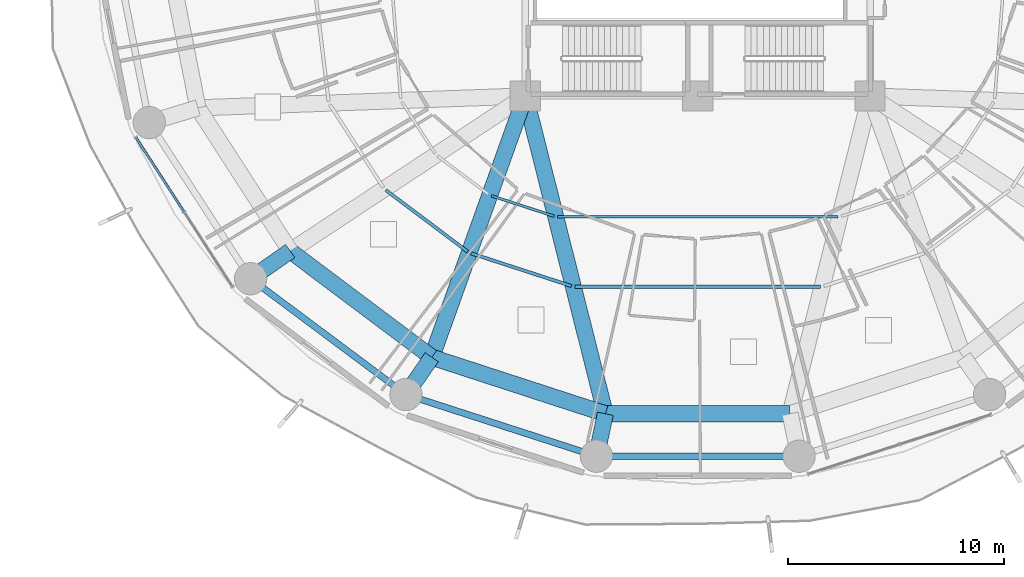
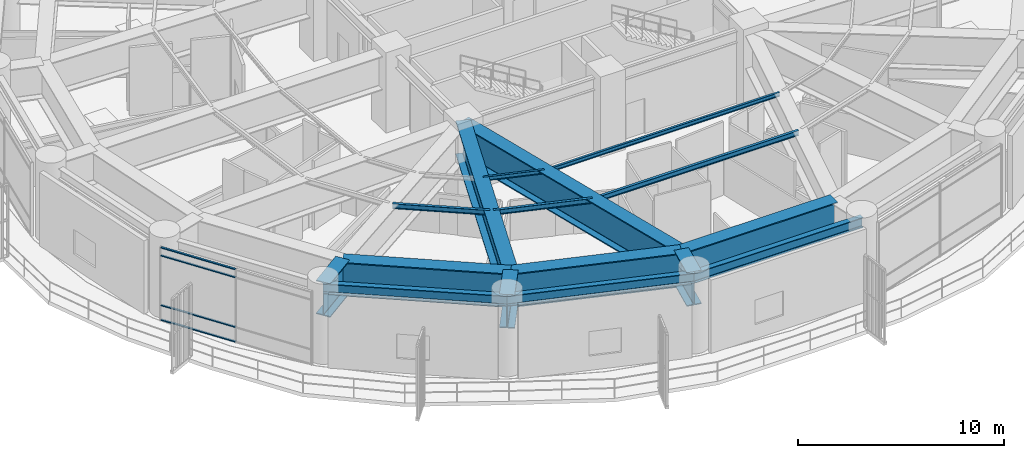
# One storey, part 3 of 31: 16 beams, 4 members, 1 element without a shape of its own.
"""IFC4 building model written with IfcOpenShell, lengths in metres."""

from ifc_helpers import new_model, si_unit, direction, frame, origin, origin_2d, place, context, subcontext, project, spatial, hollow_rectangle, i_section, extrude, material, layer, layer_set, material_profile, profile_set, type_object, element, aggregate, save


model = new_model("IFC4")

# Units and contexts
model_context = context("Model", 3, precision=1e-05, world=origin(), true_north=direction((0.0, 1.0)))
body_context = subcontext(model_context, "Body", "Model", "MODEL_VIEW")
ifc_project = project(units=[si_unit("LENGTHUNIT", "METRE"), si_unit("AREAUNIT", "SQUARE_METRE"), si_unit("VOLUMEUNIT", "CUBIC_METRE"), si_unit("PLANEANGLEUNIT", "RADIAN"), si_unit("MASSUNIT", "GRAM", prefix="KILO")], contexts=[model_context])

# Site, building, storey
site_placement = place(None, origin())
site = spatial("IfcSite", under=ifc_project, at=site_placement, CompositionType="ELEMENT")
building_placement = place(site_placement, origin())
building = spatial("IfcBuilding", under=site, at=building_placement, Name="Kelanora Arch Commons", CompositionType="ELEMENT")
storey_placement = place(building_placement, frame((0.0, 0.0, 67.5)))
storey = spatial("IfcBuildingStorey", under=building, at=storey_placement, Name="L17", CompositionType="ELEMENT", Elevation=67.5)

# Beams
ifc_material_1 = material(Name="Steel S355", Category="steel")
ifc_material_profile_1 = material_profile(ifc_material_1, i_section(OverallWidth=0.14990234375, OverallDepth=0.300048828125, WebThickness=0.007080078125, FlangeThickness=0.0107421875, FilletRadius=0.014892578125, at=origin_2d()), Name="IPE300")
ifc_profile_set_1 = profile_set([ifc_material_profile_1], Name="Steel S355")
beam_type_1 = type_object("IfcBeamType", Name="BM-JST-01", PredefinedType="JOIST", material=ifc_profile_set_1)
beam_1_placement = place(storey_placement, frame((59.5244140625, 46.63330078125, 4.2099609375), z_axis=(0.79971039107, -0.600385951214, 0.0), x_axis=(0.600385951214, 0.79971039107, 0.0)))
element("IfcBeam", 1, at=beam_1_placement, inside=storey, type_object=beam_type_1, Name="Secondary Chord Joist BJB-22 L17", PredefinedType="JOIST", context=body_context, shape_type="SweptSolid", body=[
    extrude(i_section(OverallWidth=0.14990234375, OverallDepth=0.300048828125, WebThickness=0.007080078125, FlangeThickness=0.0107421875, FilletRadius=0.014892578125, at=origin_2d()), origin(), (0.0, 0.0, 1.0), 4.756103515625),
])
beam_2_placement = place(storey_placement, frame((63.476806640625, 43.70068359375, 4.2099609375), z_axis=(0.950857140254, -0.309629938521, 0.0), x_axis=(0.309629938521, 0.950857140254, 0.0)))
element("IfcBeam", 2, at=beam_2_placement, inside=storey, type_object=beam_type_1, Name="Secondary Chord Joist BJB-24 L17", PredefinedType="JOIST", context=body_context, shape_type="SweptSolid", body=[
    extrude(i_section(OverallWidth=0.14990234375, OverallDepth=0.300048828125, WebThickness=0.007080078125, FlangeThickness=0.0107421875, FilletRadius=0.014892578125, at=origin_2d()), origin(), (0.0, 0.0, 1.0), 4.912353515625),
])
beam_3_placement = place(storey_placement, frame((68.313720703125, 42.1533203125, 4.2099609375), z_axis=(1.0, 0.0, 0.0), x_axis=(0.0, 1.0, 0.0)))
element("IfcBeam", 3, at=beam_3_placement, inside=storey, type_object=beam_type_1, Name="Secondary Chord Joist BJB-26 L17", PredefinedType="JOIST", context=body_context, shape_type="SweptSolid", body=[
    extrude(i_section(OverallWidth=0.14990234375, OverallDepth=0.300048828125, WebThickness=0.007080078125, FlangeThickness=0.0107421875, FilletRadius=0.014892578125, at=origin_2d()), origin(), (0.0, 0.0, 1.0), 11.37255859375),
])
ifc_material_profile_2 = material_profile(ifc_material_1, i_section(OverallWidth=0.1201171875, OverallDepth=0.239990234375, WebThickness=0.006103515625, FlangeThickness=0.009765625, FilletRadius=0.014892578125, at=origin_2d()), Name="IPE240")
ifc_profile_set_2 = profile_set([ifc_material_profile_2], Name="Steel S355")
beam_type_2 = type_object("IfcBeamType", Name="BM-JST-02", PredefinedType="JOIST", material=ifc_profile_set_2)
beam_4_placement = place(storey_placement, frame((64.431640625, 46.367431640625, 4.239990234375), z_axis=(0.950846758946, -0.309661817151, 0.0), x_axis=(0.309661817151, 0.950846758946, 0.0)))
element("IfcBeam", 4, at=beam_4_placement, inside=storey, type_object=beam_type_2, Name="Secondary Chord Joist BJA-24 L17", PredefinedType="JOIST", context=body_context, shape_type="SweptSolid", body=[
    extrude(i_section(OverallWidth=0.1201171875, OverallDepth=0.239990234375, WebThickness=0.006103515625, FlangeThickness=0.009765625, FilletRadius=0.014892578125, at=origin_2d()), origin(), (0.0, 0.0, 1.0), 3.048828125),
])
beam_5_placement = place(storey_placement, frame((67.49658203125, 45.397216796875, 4.239990234375), z_axis=(1.0, 0.0, 0.0), x_axis=(0.0, 1.0, 0.0)))
element("IfcBeam", 5, at=beam_5_placement, inside=storey, type_object=beam_type_2, Name="Secondary Chord Joist BJA-26 L17", PredefinedType="JOIST", context=body_context, shape_type="SweptSolid", body=[
    extrude(i_section(OverallWidth=0.1201171875, OverallDepth=0.239990234375, WebThickness=0.006103515625, FlangeThickness=0.009765625, FilletRadius=0.014892578125, at=origin_2d()), origin(), (0.0, 0.0, 1.0), 13.0068359375),
])
ifc_material_profile_3 = material_profile(ifc_material_1, i_section(OverallWidth=0.300048828125, OverallDepth=0.60009765625, WebThickness=0.015380859375, FlangeThickness=0.030029296875, FilletRadius=0.027099609375, at=origin_2d()), Name="HEB600")
ifc_profile_set_3 = profile_set([ifc_material_profile_3], Name="Steel S355")
beam_type_3 = type_object("IfcBeamType", Name="BM-SPN-Z1", PredefinedType="SPANDREL", material=ifc_profile_set_3)
beam_6_placement = place(storey_placement, frame((53.255615234375, 42.521728515625, 4.06005859375), z_axis=(0.801467504127, -0.598038326388, 0.0), x_axis=(0.598038326388, 0.801467504127, 0.0)))
element("IfcBeam", 6, at=beam_6_placement, inside=storey, type_object=beam_type_3, Name="Perimeter Spandrel Beam BS-22 L17", PredefinedType="SPANDREL", context=body_context, shape_type="SweptSolid", body=[
    extrude(i_section(OverallWidth=0.300048828125, OverallDepth=0.60009765625, WebThickness=0.015380859375, FlangeThickness=0.030029296875, FilletRadius=0.027099609375, at=origin_2d()), origin(), (0.0, 0.0, 1.0), 8.989013671875),
])
beam_7_placement = place(storey_placement, frame((60.4599609375, 37.14599609375, 4.06005859375), z_axis=(0.951417120402, -0.307904957748, 0.0), x_axis=(0.307904957748, 0.951417120402, 0.0)))
element("IfcBeam", 7, at=beam_7_placement, inside=storey, type_object=beam_type_3, Name="Perimeter Spandrel Beam BS-24 L17", PredefinedType="SPANDREL", context=body_context, shape_type="SweptSolid", body=[
    extrude(i_section(OverallWidth=0.300048828125, OverallDepth=0.60009765625, WebThickness=0.015380859375, FlangeThickness=0.030029296875, FilletRadius=0.027099609375, at=origin_2d()), origin(), (0.0, 0.0, 1.0), 9.288818359375),
])
beam_8_placement = place(storey_placement, frame((69.297607421875, 34.285888671875, 4.06005859375), z_axis=(1.0, 0.0, 0.0), x_axis=(0.0, 1.0, 0.0)))
element("IfcBeam", 8, at=beam_8_placement, inside=storey, type_object=beam_type_3, Name="Perimeter Spandrel Beam BS-26 L17", PredefinedType="SPANDREL", context=body_context, shape_type="SweptSolid", body=[
    extrude(i_section(OverallWidth=0.300048828125, OverallDepth=0.60009765625, WebThickness=0.015380859375, FlangeThickness=0.030029296875, FilletRadius=0.027099609375, at=origin_2d()), origin(), (0.0, 0.0, 1.0), 9.40478515625),
])
ifc_material_profile_4 = material_profile(ifc_material_1, i_section(OverallWidth=0.75, OverallDepth=2.0, WebThickness=0.034912109375, FlangeThickness=0.06005859375, FilletRadius=0.028076171875, at=origin_2d()), Name="PG2000x750")
ifc_profile_set_4 = profile_set([ifc_material_profile_4], Name="Steel S355")
beam_type_4 = type_object("IfcBeamType", Name="BM-XFER-SET", PredefinedType="USERDEFINED", material=ifc_profile_set_4)
beam_9_placement = place(storey_placement, frame((55.093994140625, 43.80712890625, 3.360107421875), z_axis=(-0.819538590643, -0.573023994653, 0.0), x_axis=(0.573023994653, -0.819538590643, 0.0)))
element("IfcBeam", 9, at=beam_9_placement, inside=storey, type_object=beam_type_4, Name="Radial Floor Girder BR-22 L17", ObjectType="TRANSFER_GIRDER", PredefinedType="USERDEFINED", context=body_context, shape_type="SweptSolid", body=[
    extrude(i_section(OverallWidth=0.75, OverallDepth=2.0, WebThickness=0.034912109375, FlangeThickness=0.06005859375, FilletRadius=0.028076171875, at=origin_2d()), origin(), (0.0, 0.0, 1.0), 2.2431640625),
])
beam_10_placement = place(storey_placement, frame((66.0, 51.0, 3.360107421875), z_axis=(-0.337084640008, -0.941474346687, 0.0), x_axis=(0.941474346687, -0.337084640008, 0.0)))
element("IfcBeam", 10, at=beam_10_placement, inside=storey, type_object=beam_type_4, Name="Setback Radial Transfer Girder BRI-24 L17", ObjectType="TRANSFER_GIRDER", PredefinedType="USERDEFINED", context=body_context, shape_type="SweptSolid", body=[
    extrude(i_section(OverallWidth=0.75, OverallDepth=2.0, WebThickness=0.034912109375, FlangeThickness=0.06005859375, FilletRadius=0.028076171875, at=origin_2d()), origin(), (0.0, 0.0, 1.0), 12.875244140625),
])
beam_11_placement = place(storey_placement, frame((61.659912109375, 38.878173828125, 3.360107421875), z_axis=(-0.569450942775, -0.822025318207, 0.0), x_axis=(0.822025318207, -0.569450942775, 0.0)))
element("IfcBeam", 11, at=beam_11_placement, inside=storey, type_object=beam_type_4, Name="Radial Floor Girder BR-24 L17", ObjectType="TRANSFER_GIRDER", PredefinedType="USERDEFINED", context=body_context, shape_type="SweptSolid", body=[
    extrude(i_section(OverallWidth=0.75, OverallDepth=2.0, WebThickness=0.034912109375, FlangeThickness=0.06005859375, FilletRadius=0.028076171875, at=origin_2d()), origin(), (0.0, 0.0, 1.0), 2.107177734375),
])
beam_12_placement = place(storey_placement, frame((66.0, 51.0, 3.360107421875), z_axis=(0.244280647475, -0.969704576286, 0.0), x_axis=(0.969704576286, 0.244280647475, 0.0)))
element("IfcBeam", 12, at=beam_12_placement, inside=storey, type_object=beam_type_4, Name="Setback Radial Transfer Girder BRI-26 L17", ObjectType="TRANSFER_GIRDER", PredefinedType="USERDEFINED", context=body_context, shape_type="SweptSolid", body=[
    extrude(i_section(OverallWidth=0.75, OverallDepth=2.0, WebThickness=0.034912109375, FlangeThickness=0.06005859375, FilletRadius=0.028076171875, at=origin_2d()), origin(), (0.0, 0.0, 1.0), 15.205322265625),
])
beam_13_placement = place(storey_placement, frame((69.71435546875, 36.25537109375, 3.360107421875), z_axis=(-0.207018863964, -0.978336951139, 0.0), x_axis=(0.978336951139, -0.207018863964, 0.0)))
element("IfcBeam", 13, at=beam_13_placement, inside=storey, type_object=beam_type_4, Name="Radial Floor Girder BR-26 L17", ObjectType="TRANSFER_GIRDER", PredefinedType="USERDEFINED", context=body_context, shape_type="SweptSolid", body=[
    extrude(i_section(OverallWidth=0.75, OverallDepth=2.0, WebThickness=0.034912109375, FlangeThickness=0.06005859375, FilletRadius=0.028076171875, at=origin_2d()), origin(), (0.0, 0.0, 1.0), 2.01318359375),
])
beam_14_placement = place(storey_placement, frame((55.093994140625, 43.80712890625, 3.360107421875), z_axis=(0.799735861602, -0.600352023123, 0.0), x_axis=(0.600352023123, 0.799735861602, 0.0)))
element("IfcBeam", 14, at=beam_14_placement, inside=storey, type_object=beam_type_4, Name="Setback Inner Transfer Ring BSI-22 L17", ObjectType="TRANSFER_GIRDER", PredefinedType="USERDEFINED", context=body_context, shape_type="SweptSolid", body=[
    extrude(i_section(OverallWidth=0.75, OverallDepth=2.0, WebThickness=0.034912109375, FlangeThickness=0.06005859375, FilletRadius=0.028076171875, at=origin_2d()), origin(), (0.0, 0.0, 1.0), 8.210205078125),
])
beam_15_placement = place(storey_placement, frame((61.659912109375, 38.878173828125, 3.360107421875), z_axis=(0.950856631974, -0.309631499418, 0.0), x_axis=(0.309631499418, 0.950856631974, 0.0)))
element("IfcBeam", 15, at=beam_15_placement, inside=storey, type_object=beam_type_4, Name="Setback Inner Transfer Ring BSI-24 L17", ObjectType="TRANSFER_GIRDER", PredefinedType="USERDEFINED", context=body_context, shape_type="SweptSolid", body=[
    extrude(i_section(OverallWidth=0.75, OverallDepth=2.0, WebThickness=0.034912109375, FlangeThickness=0.06005859375, FilletRadius=0.028076171875, at=origin_2d()), origin(), (0.0, 0.0, 1.0), 8.470703125),
])
beam_16_placement = place(storey_placement, frame((69.71435546875, 36.25537109375, 3.360107421875), z_axis=(1.0, 0.0, 0.0), x_axis=(0.0, 1.0, 0.0)))
element("IfcBeam", 16, at=beam_16_placement, inside=storey, type_object=beam_type_4, Name="Setback Inner Transfer Ring BSI-26 L17", ObjectType="TRANSFER_GIRDER", PredefinedType="USERDEFINED", context=body_context, shape_type="SweptSolid", body=[
    extrude(i_section(OverallWidth=0.75, OverallDepth=2.0, WebThickness=0.034912109375, FlangeThickness=0.06005859375, FilletRadius=0.028076171875, at=origin_2d()), origin(), (0.0, 0.0, 1.0), 8.5712890625),
])

# Curtain wall, members
ifc_material_2 = material(Name="Terracotta ceramic-fritted low-E glass and aluminium", Category="masonry")
ifc_layer = layer(ifc_material_2, 0.159912109375)
ifc_layer_set = layer_set([ifc_layer], Name="Terracotta ceramic-fritted low-E glass and aluminium")
curtain_wall_type = type_object("IfcCurtainWallType", Name="CW-SYS-01", PredefinedType="NOTDEFINED", material=ifc_layer_set)
curtain_wall_placement = place(storey_placement, origin())
curtain_wall = element("IfcCurtainWall", 17, at=curtain_wall_placement, inside=storey, type_object=curtain_wall_type, Name="Unitised Curtain Wall L17-B10", PredefinedType="NOTDEFINED")
ifc_material_3 = material(Name="Powder-coated aluminium terracotta", Category="masonry")
ifc_material_profile_5 = material_profile(ifc_material_3, hollow_rectangle(XDim=0.1201171875, YDim=0.06005859375, WallThickness=0.0048828125, InnerFilletRadius=0.0048828125, OuterFilletRadius=0.010009765625, at=origin_2d()), Name="CWT120x60")
ifc_profile_set_5 = profile_set([ifc_material_profile_5], Name="Powder-coated aluminium terracotta")
member_type = type_object("IfcMemberType", Name="CWT-STD", PredefinedType="USERDEFINED", material=ifc_profile_set_5)
member_1_placement = place(storey_placement, frame((47.944091796875, 49.054443359375, 0.030029296875), z_axis=(0.542997414293, -0.839734367566, 0.0), x_axis=(0.839734367566, 0.542997414293, 0.0)))
member_1 = element("IfcMember", 18, at=member_1_placement, type_object=member_type, Name="CW-01 transom 1.1", ObjectType="TRANSOM", PredefinedType="USERDEFINED", context=body_context, shape_type="SweptSolid", body=[
    extrude(hollow_rectangle(XDim=0.1201171875, YDim=0.06005859375, WallThickness=0.0048828125, InnerFilletRadius=0.0048828125, OuterFilletRadius=0.010009765625, at=origin_2d()), origin(), (0.0, 0.0, 1.0), 4.067626953125),
])
member_2_placement = place(storey_placement, frame((47.944091796875, 49.054443359375, 0.89990234375), z_axis=(0.542997414293, -0.839734367566, 0.0), x_axis=(0.839734367566, 0.542997414293, 0.0)))
member_2 = element("IfcMember", 19, at=member_2_placement, type_object=member_type, Name="CW-01 transom 1.2", ObjectType="TRANSOM", PredefinedType="USERDEFINED", context=body_context, shape_type="SweptSolid", body=[
    extrude(hollow_rectangle(XDim=0.1201171875, YDim=0.06005859375, WallThickness=0.0048828125, InnerFilletRadius=0.0048828125, OuterFilletRadius=0.010009765625, at=origin_2d()), origin(), (0.0, 0.0, 1.0), 4.067626953125),
])
member_3_placement = place(storey_placement, frame((47.944091796875, 49.054443359375, 3.844970703125), z_axis=(0.542997414293, -0.839734367566, 0.0), x_axis=(0.839734367566, 0.542997414293, 0.0)))
member_3 = element("IfcMember", 20, at=member_3_placement, type_object=member_type, Name="CW-01 transom 1.3", ObjectType="TRANSOM", PredefinedType="USERDEFINED", context=body_context, shape_type="SweptSolid", body=[
    extrude(hollow_rectangle(XDim=0.1201171875, YDim=0.06005859375, WallThickness=0.0048828125, InnerFilletRadius=0.0048828125, OuterFilletRadius=0.010009765625, at=origin_2d()), origin(), (0.0, 0.0, 1.0), 4.067626953125),
])
member_4_placement = place(storey_placement, frame((47.944091796875, 49.054443359375, 4.31494140625), z_axis=(0.542997414293, -0.839734367566, 0.0), x_axis=(0.839734367566, 0.542997414293, 0.0)))
member_4 = element("IfcMember", 21, at=member_4_placement, type_object=member_type, Name="CW-01 transom 1.4", ObjectType="TRANSOM", PredefinedType="USERDEFINED", context=body_context, shape_type="SweptSolid", body=[
    extrude(hollow_rectangle(XDim=0.1201171875, YDim=0.06005859375, WallThickness=0.0048828125, InnerFilletRadius=0.0048828125, OuterFilletRadius=0.010009765625, at=origin_2d()), origin(), (0.0, 0.0, 1.0), 4.067626953125),
])
aggregate(curtain_wall, [member_1, member_2, member_3, member_4])

save(model, "model.ifc")
